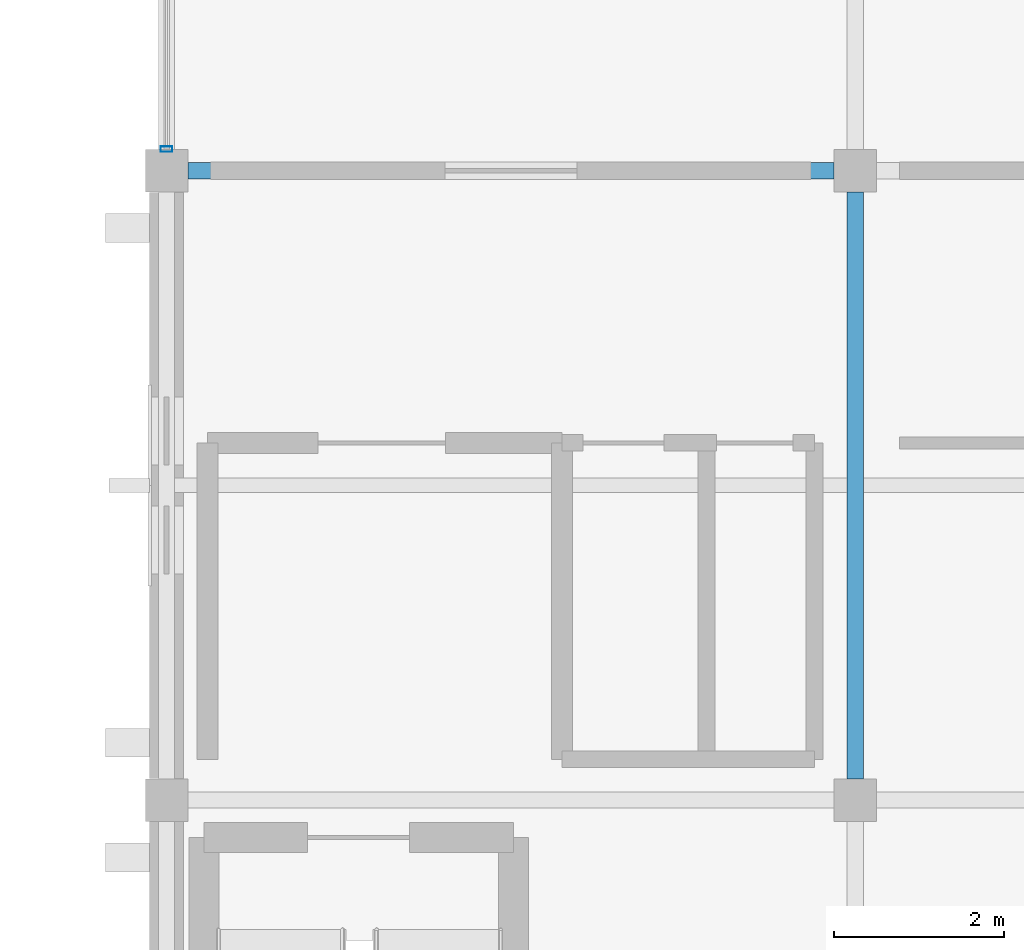
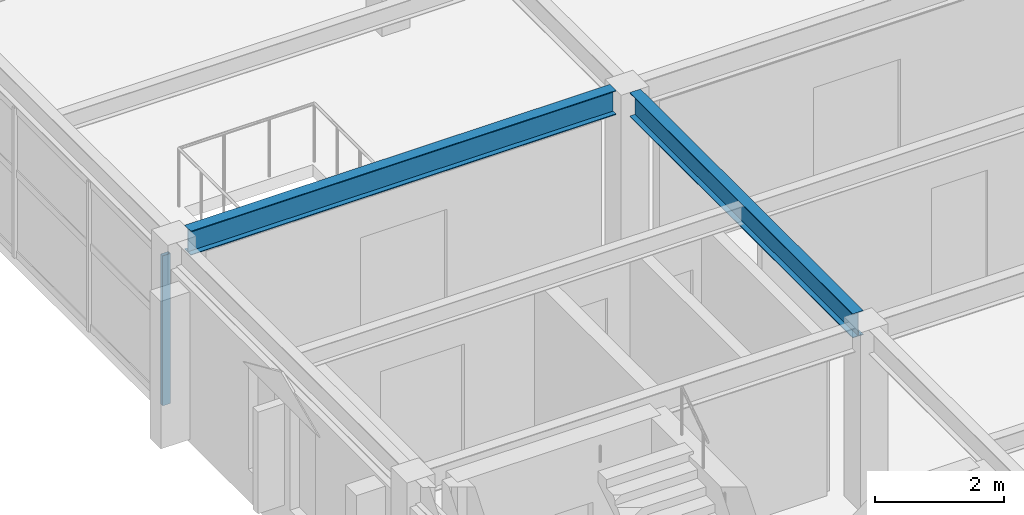
# One storey, part 36 of 93: 2 beams, 1 member, 1 element without a shape of its own.
"""IFC4 building model written with IfcOpenShell, lengths in metres."""

from ifc_helpers import new_model, si_unit, direction, frame, origin, origin_2d, place, context, subcontext, project, spatial, hollow_rectangle, i_section, extrude, material, material_profile, profile_set, type_object, element, aggregate, save


model = new_model("IFC4")

# Units and contexts
model_context = context("Model", 3, precision=1e-05, world=origin(), true_north=direction((0.0, 1.0)))
body_context = subcontext(model_context, "Body", "Model", "MODEL_VIEW")
ifc_project = project(units=[si_unit("LENGTHUNIT", "METRE"), si_unit("AREAUNIT", "SQUARE_METRE"), si_unit("VOLUMEUNIT", "CUBIC_METRE"), si_unit("PLANEANGLEUNIT", "RADIAN"), si_unit("MASSUNIT", "GRAM", prefix="KILO")], contexts=[model_context])

# Site, building, storey
site_placement = place(None, origin())
site = spatial("IfcSite", under=ifc_project, at=site_placement, CompositionType="ELEMENT")
building_placement = place(site_placement, origin())
building = spatial("IfcBuilding", under=site, at=building_placement, Name="Cimatlan Art Gallery", CompositionType="ELEMENT")
storey_placement = place(building_placement, frame((0.0, 0.0, 13.800048828125)))
storey = spatial("IfcBuildingStorey", under=building, at=storey_placement, Name="L03", CompositionType="ELEMENT", Elevation=13.800048828125)

# Beams
ifc_material_1 = material(Name="Steel ASTM A992 Grade 50", Category="steel")
ifc_material_profile_1 = material_profile(ifc_material_1, i_section(OverallWidth=0.19091796875, OverallDepth=0.45703125, WebThickness=0.009033203125, FlangeThickness=0.014404296875, at=origin_2d()), Name="W18X50")
ifc_profile_set_1 = profile_set([ifc_material_profile_1], Name="Steel ASTM A992 Grade 50")
beam_type = type_object("IfcBeamType", Name="BM-STL-W18X50", PredefinedType="BEAM", material=ifc_profile_set_1)
beam_1_placement = place(storey_placement, frame((123.5, 31.550048828125, 3.1513671875), z_axis=(0.0, 1.0, 0.0), x_axis=(-1.0, 0.0, 0.0)))
element("IfcBeam", 1, at=beam_1_placement, inside=storey, type_object=beam_type, Name="BM-Y-L03-15-04", PredefinedType="BEAM", context=body_context, shape_type="SweptSolid", body=[
    extrude(i_section(OverallWidth=0.19091796875, OverallDepth=0.45703125, WebThickness=0.009033203125, FlangeThickness=0.014404296875, at=origin_2d()), origin(), (0.0, 0.0, 1.0), 6.89990234375),
])
beam_2_placement = place(storey_placement, frame((115.64990234375, 38.699951171875, 3.1513671875), z_axis=(1.0, 0.0, 0.0), x_axis=(0.0, 1.0, 0.0)))
element("IfcBeam", 2, at=beam_2_placement, inside=storey, type_object=beam_type, Name="BM-X-L03-14-05", PredefinedType="BEAM", context=body_context, shape_type="SweptSolid", body=[
    extrude(i_section(OverallWidth=0.19091796875, OverallDepth=0.45703125, WebThickness=0.009033203125, FlangeThickness=0.014404296875, at=origin_2d()), origin(), (0.0, 0.0, 1.0), 7.60009765625),
])

# Curtain wall, member
ifc_material_2 = material(Name="Anodised bronze unitised curtain wall")
curtain_wall_type = type_object("IfcCurtainWallType", Name="CW-V-06892X02833-B3", PredefinedType="NOTDEFINED", material=ifc_material_2)
curtain_wall_placement = place(storey_placement, origin())
curtain_wall = element("IfcCurtainWall", 3, at=curtain_wall_placement, inside=storey, type_object=curtain_wall_type, Name="CW-L03-14-05-W", PredefinedType="NOTDEFINED")
ifc_material_3 = material(Name="Anodised bronze aluminium 6063-T6", Category="aluminium")
ifc_material_profile_2 = material_profile(ifc_material_3, hollow_rectangle(XDim=0.06494140625, YDim=0.139892578125, WallThickness=0.00390625, at=origin_2d()), Name="ALU65X140X4")
ifc_profile_set_2 = profile_set([ifc_material_profile_2], Name="Anodised bronze aluminium 6063-T6")
member_type = type_object("IfcMemberType", Name="CW-MUL-140", PredefinedType="MULLION", material=ifc_profile_set_2)
member_placement = place(storey_placement, frame((115.39990234375, 38.9541015625, 0.0), z_axis=(0.0, 0.0, 1.0), x_axis=(0.0, 1.0, 0.0)))
member = element("IfcMember", 4, at=member_placement, type_object=member_type, Name="CW-L03-14-05-W-M1", PredefinedType="MULLION", context=body_context, shape_type="SweptSolid", body=[
    extrude(hollow_rectangle(XDim=0.06494140625, YDim=0.139892578125, WallThickness=0.00390625, at=origin_2d()), origin(), (0.0, 0.0, 1.0), 2.8330078125),
])
aggregate(curtain_wall, [member])

save(model, "model.ifc")
